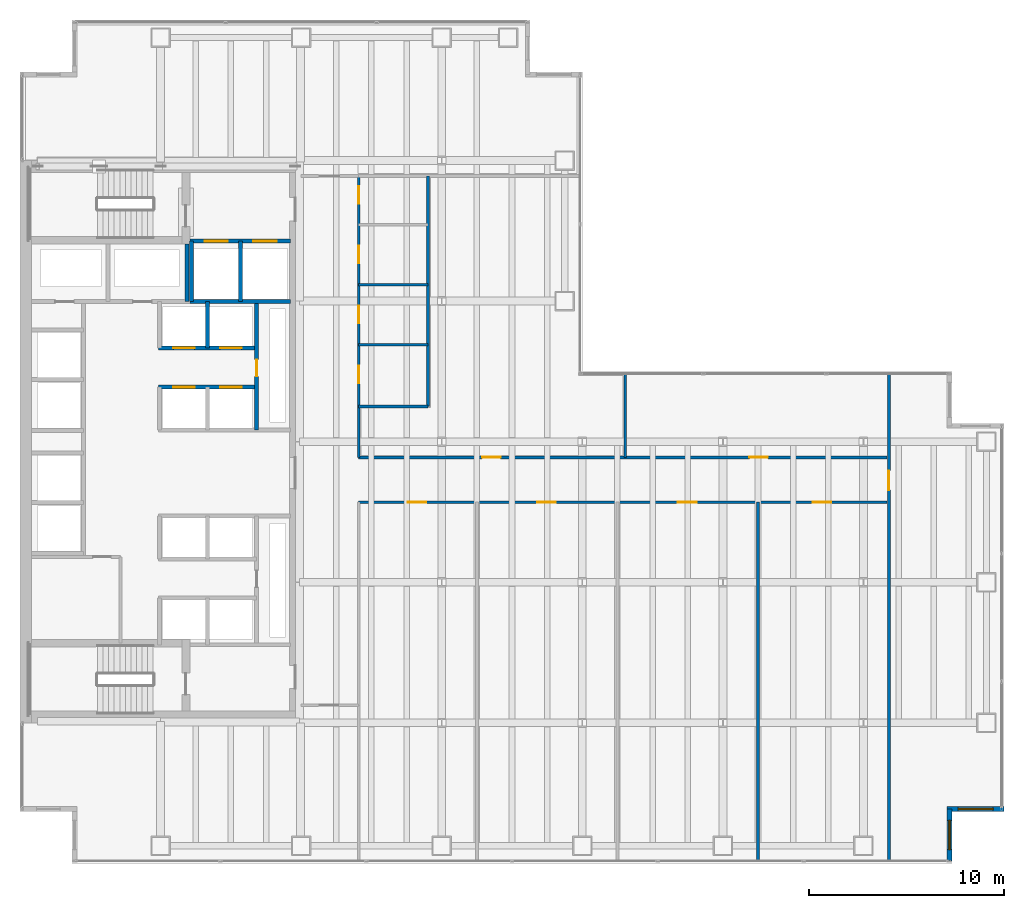
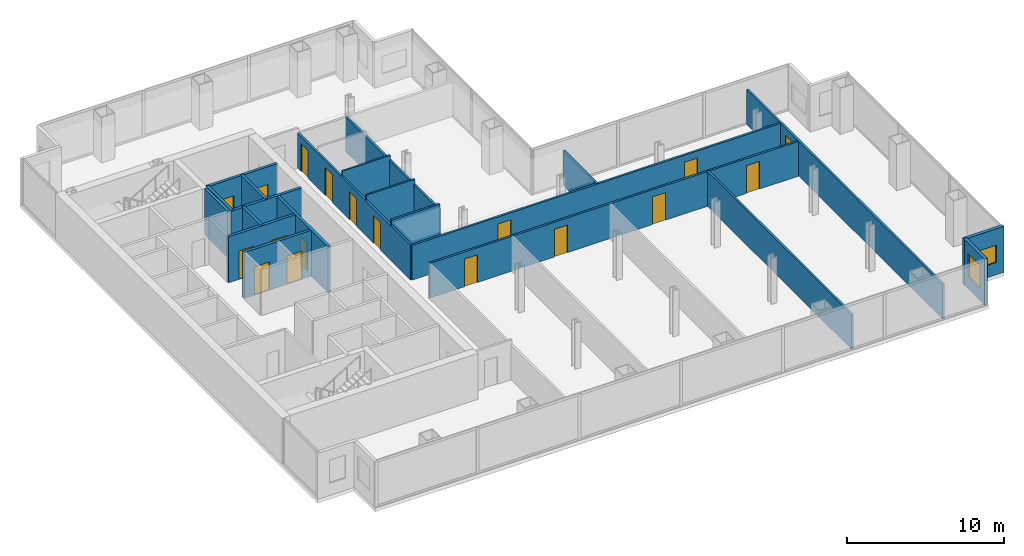
# One storey, part 21 of 23: 21 walls, 18 doors, 2 windows, 20 openings.
"""IFC4 building model written with IfcOpenShell, lengths in metres."""

from ifc_helpers import new_model, si_unit, direction, frame, frame_2d, origin, place, context, subcontext, project, spatial, rectangle, extrude, material, layer, layer_set, type_object, element, fill, save


model = new_model("IFC4")

# Units and contexts
model_context = context("Model", 3, precision=1e-05, world=origin(), true_north=direction((0.0, 1.0)))
body_context = subcontext(model_context, "Body", "Model", "MODEL_VIEW")
ifc_project = project(units=[si_unit("LENGTHUNIT", "METRE"), si_unit("AREAUNIT", "SQUARE_METRE"), si_unit("VOLUMEUNIT", "CUBIC_METRE"), si_unit("PLANEANGLEUNIT", "RADIAN"), si_unit("MASSUNIT", "GRAM", prefix="KILO")], contexts=[model_context])

# Site, building, storey
site_placement = place(None, origin())
site = spatial("IfcSite", under=ifc_project, at=site_placement, CompositionType="ELEMENT")
building_placement = place(site_placement, origin())
building = spatial("IfcBuilding", under=site, at=building_placement, Name="Cobrela Telecom Tower", CompositionType="ELEMENT")
storey_placement = place(building_placement, frame((0.0, 0.0, 50.39990234375)))
storey = spatial("IfcBuildingStorey", under=building, at=storey_placement, Name="L12", CompositionType="ELEMENT", Elevation=50.39990234375)

# Wall, opening, window
ifc_material_1 = material(Name="Concrete C40/50", Category="concrete")
ifc_layer_1 = layer(ifc_material_1, 0.239990234375)
ifc_layer_set_1 = layer_set([ifc_layer_1], Name="Concrete C40/50")
wall_type_1 = type_object("IfcWallType", Name="WALL-EXT-300", PredefinedType="STANDARD", material=ifc_layer_set_1)
wall_1_placement = place(storey_placement, frame((50.39990234375, 2.7900390625, 0.0), z_axis=(0.0, 0.0, 1.0), x_axis=(-1.0, 0.0, 0.0)))
wall_1 = element("IfcWall", 1, at=wall_1_placement, inside=storey, type_object=wall_type_1, Name="L12 Insulated Facade Wall 15", PredefinedType="STANDARD", context=body_context, shape_type="SweptSolid", body=[
    extrude(rectangle(XDim=2.909912109375, YDim=0.239990234375, at=frame_2d((1.455078125, 0.0))), origin(), (0.0, 0.0, 1.0), 3.570068359375),
])
opening_1_placement = place(wall_1_placement, frame((0.554931640625, 0.0, 0.949951171875)))
opening_1 = element("IfcOpeningElement", 2, at=opening_1_placement, cuts=wall_1, Name="Opening WN-27", PredefinedType="OPENING", context=body_context, shape_type="SweptSolid", body=[
    extrude(rectangle(XDim=1.800048828125, YDim=1.35009765625, at=frame_2d((0.89990234375, 0.675048828125))), frame((0.0, 0.1318359375, 0.0), z_axis=(0.0, -1.0, 0.0), x_axis=(1.0, 0.0, 0.0)), (0.0, 0.0, 1.0), 0.263916015625),
])
ifc_material_2 = material(Name="Solar-Control Bronze Low-E Glass", Category="glass")
window_type_1 = type_object("IfcWindowType", Name="WIN-CLER-1800", PartitioningType="SINGLE_PANEL", PredefinedType="WINDOW", material=ifc_material_2)
window_1_placement = place(opening_1_placement, origin())
window_1 = element("IfcWindow", 3, at=window_1_placement, inside=storey, type_object=window_type_1, Name="L12 Corner Notch Facade Window 058", OverallHeight=1.35009765625, OverallWidth=1.800048828125, PartitioningType="SINGLE_PANEL", PredefinedType="WINDOW", context=body_context, shape_type="SweptSolid", body=[
    extrude(rectangle(XDim=1.800048828125, YDim=1.35009765625, at=frame_2d((0.89990234375, 0.675048828125))), frame((0.0, 0.030029296875, 0.0), z_axis=(0.0, -1.0, 0.0), x_axis=(1.0, 0.0, 0.0)), (0.0, 0.0, 1.0), 0.06005859375),
])
fill(opening_1, window_1)

wall_2_placement = place(storey_placement, frame((47.610107421875, 2.7900390625, 0.0), z_axis=(0.0, 0.0, 1.0), x_axis=(0.0, -1.0, 0.0)))
wall_2 = element("IfcWall", 4, at=wall_2_placement, inside=storey, type_object=wall_type_1, Name="L12 Insulated Facade Wall 16", PredefinedType="STANDARD", context=body_context, shape_type="SweptSolid", body=[
    extrude(rectangle(XDim=2.669921875, YDim=0.239990234375, at=frame_2d((1.3349609375, 0.0))), origin(), (0.0, 0.0, 1.0), 3.570068359375),
])
opening_2_placement = place(wall_2_placement, frame((0.5849609375, 0.0, 0.949951171875)))
opening_2 = element("IfcOpeningElement", 5, at=opening_2_placement, cuts=wall_2, Name="Opening WN-45", PredefinedType="OPENING", context=body_context, shape_type="SweptSolid", body=[
    extrude(rectangle(XDim=1.5, YDim=1.800048828125, at=frame_2d((0.75, 0.89990234375))), frame((0.0, 0.1318359375, 0.0), z_axis=(0.0, -1.0, 0.0), x_axis=(1.0, 0.0, 0.0)), (0.0, 0.0, 1.0), 0.263916015625),
])
window_type_2 = type_object("IfcWindowType", Name="WIN-MOD-1500", PartitioningType="SINGLE_PANEL", PredefinedType="WINDOW", material=ifc_material_2)
window_2_placement = place(opening_2_placement, origin())
window_2 = element("IfcWindow", 6, at=window_2_placement, inside=storey, type_object=window_type_2, Name="L12 Corner Notch Facade Window 059", OverallHeight=1.800048828125, OverallWidth=1.5, PartitioningType="SINGLE_PANEL", PredefinedType="WINDOW", context=body_context, shape_type="SweptSolid", body=[
    extrude(rectangle(XDim=1.5, YDim=1.800048828125, at=frame_2d((0.75, 0.89990234375))), frame((0.0, 0.030029296875, 0.0), z_axis=(0.0, -1.0, 0.0), x_axis=(1.0, 0.0, 0.0)), (0.0, 0.0, 1.0), 0.06005859375),
])
fill(opening_2, window_2)

# Walls
ifc_material_3 = material(Name="Fire-Rated Gypsum Plasterboard")
ifc_layer_2 = layer(ifc_material_3, 0.125)
ifc_layer_set_2 = layer_set([ifc_layer_2], Name="Fire-Rated Gypsum Plasterboard")
wall_type_2 = type_object("IfcWallType", Name="WALL-PART-125", PredefinedType="PARTITIONING", material=ifc_layer_set_2)
for number, where, z_axis, x_axis, name in (
    (7, (17.35009765625, 26.570068359375, 0.0), (0.0, 0.0, 1.0), (1.0, 0.0, 0.0), "L12 Interior Partition W-WCD-1"),
    (8, (17.35009765625, 29.639892578125, 0.0), (0.0, 0.0, 1.0), (1.0, 0.0, 0.0), "L12 Interior Partition W-WCD-2"),
):
    element("IfcWall", number, at=place(storey_placement, frame(where, z_axis=z_axis, x_axis=x_axis)), inside=storey, type_object=wall_type_2, Name=name, PredefinedType="PARTITIONING", context=body_context, shape_type="SweptSolid", body=[
        extrude(rectangle(XDim=3.5498046875, YDim=0.125, at=frame_2d((1.77490234375, 0.0))), origin(), (0.0, 0.0, 1.0), 3.088134765625),
    ])

# Wall, openings, doors
ifc_layer_3 = layer(ifc_material_3, 0.14990234375)
ifc_layer_set_3 = layer_set([ifc_layer_3], Name="Fire-Rated Gypsum Plasterboard")
wall_type_3 = type_object("IfcWallType", Name="WALL-PART-150", PredefinedType="PARTITIONING", material=ifc_layer_set_3)
wall_3_placement = place(storey_placement, frame((17.35009765625, 20.800048828125, 0.0), z_axis=(0.0, 0.0, 1.0), x_axis=(0.0, 1.0, 0.0)))
wall_3 = element("IfcWall", 9, at=wall_3_placement, inside=storey, type_object=wall_type_3, Name="L12 Interior Partition W-C-E2", PredefinedType="PARTITIONING", context=body_context, shape_type="SweptSolid", body=[
    extrude(rectangle(XDim=14.39990234375, YDim=0.14990234375, at=frame_2d((7.199951171875, 0.0))), origin(), (0.0, 0.0, 1.0), 2.69921875),
])
opening_3_placement = place(wall_3_placement, frame((3.7900390625, 0.0, 0.0)))
opening_3 = element("IfcOpeningElement", 10, at=opening_3_placement, cuts=wall_3, Name="Opening DR-41", PredefinedType="OPENING", context=body_context, shape_type="SweptSolid", body=[
    extrude(rectangle(XDim=0.89990234375, YDim=2.14990234375, at=frame_2d((0.449951171875, 1.074951171875))), frame((0.0, 0.0869140625, 0.0), z_axis=(0.0, -1.0, 0.0), x_axis=(1.0, 0.0, 0.0)), (0.0, 0.0, 1.0), 0.173828125),
])
opening_4_placement = place(wall_3_placement, frame((6.860107421875, 0.0, 0.0)))
opening_4 = element("IfcOpeningElement", 11, at=opening_4_placement, cuts=wall_3, Name="Opening DR-41", PredefinedType="OPENING", context=body_context, shape_type="SweptSolid", body=[
    extrude(rectangle(XDim=0.89990234375, YDim=2.14990234375, at=frame_2d((0.449951171875, 1.074951171875))), frame((0.0, 0.0869140625, 0.0), z_axis=(0.0, -1.0, 0.0), x_axis=(1.0, 0.0, 0.0)), (0.0, 0.0, 1.0), 0.173828125),
])
opening_5_placement = place(wall_3_placement, frame((9.929931640625, 0.0, 0.0)))
opening_5 = element("IfcOpeningElement", 12, at=opening_5_placement, cuts=wall_3, Name="Opening DR-41", PredefinedType="OPENING", context=body_context, shape_type="SweptSolid", body=[
    extrude(rectangle(XDim=0.89990234375, YDim=2.14990234375, at=frame_2d((0.449951171875, 1.074951171875))), frame((0.0, 0.0869140625, 0.0), z_axis=(0.0, -1.0, 0.0), x_axis=(1.0, 0.0, 0.0)), (0.0, 0.0, 1.0), 0.173828125),
])
opening_6_placement = place(wall_3_placement, frame((12.989990234375, 0.0, 0.0)))
opening_6 = element("IfcOpeningElement", 13, at=opening_6_placement, cuts=wall_3, Name="Opening DR-41", PredefinedType="OPENING", context=body_context, shape_type="SweptSolid", body=[
    extrude(rectangle(XDim=0.89990234375, YDim=2.14990234375, at=frame_2d((0.449951171875, 1.074951171875))), frame((0.0, 0.0869140625, 0.0), z_axis=(0.0, -1.0, 0.0), x_axis=(1.0, 0.0, 0.0)), (0.0, 0.0, 1.0), 0.173828125),
])
ifc_material_4 = material(Name="Solid Engineered Oak Timber", Category="wood")
door_type_1 = type_object("IfcDoorType", Name="DOOR-INT-900", OperationType="SINGLE_SWING_LEFT", PredefinedType="DOOR", material=ifc_material_4)
door_1_placement = place(opening_3_placement, origin())
door_1 = element("IfcDoor", 14, at=door_1_placement, inside=storey, type_object=door_type_1, Name="L12 Door DR-41", OperationType="SINGLE_SWING_LEFT", OverallHeight=2.14990234375, OverallWidth=0.89990234375, PredefinedType="DOOR", context=body_context, shape_type="SweptSolid", body=[
    extrude(rectangle(XDim=0.89990234375, YDim=2.14990234375, at=frame_2d((0.449951171875, 1.074951171875))), frame((0.0, 0.02490234375, 0.0), z_axis=(0.0, -1.0, 0.0), x_axis=(1.0, 0.0, 0.0)), (0.0, 0.0, 1.0), 0.050048828125),
])
fill(opening_3, door_1)
door_2_placement = place(opening_4_placement, origin())
door_2 = element("IfcDoor", 15, at=door_2_placement, inside=storey, type_object=door_type_1, Name="L12 Door DR-41", OperationType="SINGLE_SWING_RIGHT", OverallHeight=2.14990234375, OverallWidth=0.89990234375, PredefinedType="DOOR", context=body_context, shape_type="SweptSolid", body=[
    extrude(rectangle(XDim=0.89990234375, YDim=2.14990234375, at=frame_2d((0.449951171875, 1.074951171875))), frame((0.0, 0.02490234375, 0.0), z_axis=(0.0, -1.0, 0.0), x_axis=(1.0, 0.0, 0.0)), (0.0, 0.0, 1.0), 0.050048828125),
])
fill(opening_4, door_2)
door_3_placement = place(opening_5_placement, origin())
door_3 = element("IfcDoor", 16, at=door_3_placement, inside=storey, type_object=door_type_1, Name="L12 Door DR-41", OperationType="SINGLE_SWING_LEFT", OverallHeight=2.14990234375, OverallWidth=0.89990234375, PredefinedType="DOOR", context=body_context, shape_type="SweptSolid", body=[
    extrude(rectangle(XDim=0.89990234375, YDim=2.14990234375, at=frame_2d((0.449951171875, 1.074951171875))), frame((0.0, 0.02490234375, 0.0), z_axis=(0.0, -1.0, 0.0), x_axis=(1.0, 0.0, 0.0)), (0.0, 0.0, 1.0), 0.050048828125),
])
fill(opening_5, door_3)
door_4_placement = place(opening_6_placement, origin())
door_4 = element("IfcDoor", 17, at=door_4_placement, inside=storey, type_object=door_type_1, Name="L12 Door DR-41", OperationType="SINGLE_SWING_RIGHT", OverallHeight=2.14990234375, OverallWidth=0.89990234375, PredefinedType="DOOR", context=body_context, shape_type="SweptSolid", body=[
    extrude(rectangle(XDim=0.89990234375, YDim=2.14990234375, at=frame_2d((0.449951171875, 1.074951171875))), frame((0.0, 0.02490234375, 0.0), z_axis=(0.0, -1.0, 0.0), x_axis=(1.0, 0.0, 0.0)), (0.0, 0.0, 1.0), 0.050048828125),
])
fill(opening_6, door_4)

wall_4_placement = place(storey_placement, frame((17.35009765625, 18.5, 0.0), z_axis=(0.0, 0.0, 1.0), x_axis=(1.0, 0.0, 0.0)))
wall_4 = element("IfcWall", 18, at=wall_4_placement, inside=storey, type_object=wall_type_3, Name="L12 Interior Partition W-C-HS", PredefinedType="PARTITIONING", context=body_context, shape_type="SweptSolid", body=[
    extrude(rectangle(XDim=27.0498046875, YDim=0.14990234375, at=frame_2d((13.52490234375, 0.0))), origin(), (0.0, 0.0, 1.0), 2.69921875),
])
opening_7_placement = place(wall_4_placement, frame((2.52001953125, 0.0, 0.0)))
opening_7 = element("IfcOpeningElement", 19, at=opening_7_placement, cuts=wall_4, Name="Opening DR-67", PredefinedType="OPENING", context=body_context, shape_type="SweptSolid", body=[
    extrude(rectangle(XDim=0.949951171875, YDim=2.14990234375, at=frame_2d((0.47509765625, 1.074951171875))), frame((0.0, 0.0869140625, 0.0), z_axis=(0.0, -1.0, 0.0), x_axis=(1.0, 0.0, 0.0)), (0.0, 0.0, 1.0), 0.173828125),
])
opening_8_placement = place(wall_4_placement, frame((9.14990234375, 0.0, 0.0)))
opening_8 = element("IfcOpeningElement", 20, at=opening_8_placement, cuts=wall_4, Name="Opening DR-67", PredefinedType="OPENING", context=body_context, shape_type="SweptSolid", body=[
    extrude(rectangle(XDim=0.949951171875, YDim=2.14990234375, at=frame_2d((0.47509765625, 1.074951171875))), frame((0.0, 0.0869140625, 0.0), z_axis=(0.0, -1.0, 0.0), x_axis=(1.0, 0.0, 0.0)), (0.0, 0.0, 1.0), 0.173828125),
])
opening_9_placement = place(wall_4_placement, frame((16.35009765625, 0.0, 0.0)))
opening_9 = element("IfcOpeningElement", 21, at=opening_9_placement, cuts=wall_4, Name="Opening DR-67", PredefinedType="OPENING", context=body_context, shape_type="SweptSolid", body=[
    extrude(rectangle(XDim=0.949951171875, YDim=2.14990234375, at=frame_2d((0.47509765625, 1.074951171875))), frame((0.0, 0.0869140625, 0.0), z_axis=(0.0, -1.0, 0.0), x_axis=(1.0, 0.0, 0.0)), (0.0, 0.0, 1.0), 0.173828125),
])
opening_10_placement = place(wall_4_placement, frame((23.25, 0.0, 0.0)))
opening_10 = element("IfcOpeningElement", 22, at=opening_10_placement, cuts=wall_4, Name="Opening DR-67", PredefinedType="OPENING", context=body_context, shape_type="SweptSolid", body=[
    extrude(rectangle(XDim=0.949951171875, YDim=2.14990234375, at=frame_2d((0.47509765625, 1.074951171875))), frame((0.0, 0.0869140625, 0.0), z_axis=(0.0, -1.0, 0.0), x_axis=(1.0, 0.0, 0.0)), (0.0, 0.0, 1.0), 0.173828125),
])
door_type_2 = type_object("IfcDoorType", Name="DOOR-INT-950", OperationType="SINGLE_SWING_LEFT", PredefinedType="DOOR", material=ifc_material_4)
door_5_placement = place(opening_7_placement, origin())
door_5 = element("IfcDoor", 23, at=door_5_placement, inside=storey, type_object=door_type_2, Name="L12 Door DR-67", OperationType="SINGLE_SWING_LEFT", OverallHeight=2.14990234375, OverallWidth=0.949951171875, PredefinedType="DOOR", context=body_context, shape_type="SweptSolid", body=[
    extrude(rectangle(XDim=0.949951171875, YDim=2.14990234375, at=frame_2d((0.47509765625, 1.074951171875))), frame((0.0, 0.02490234375, 0.0), z_axis=(0.0, -1.0, 0.0), x_axis=(1.0, 0.0, 0.0)), (0.0, 0.0, 1.0), 0.050048828125),
])
fill(opening_7, door_5)
door_6_placement = place(opening_8_placement, origin())
door_6 = element("IfcDoor", 24, at=door_6_placement, inside=storey, type_object=door_type_2, Name="L12 Door DR-67", OperationType="SINGLE_SWING_RIGHT", OverallHeight=2.14990234375, OverallWidth=0.949951171875, PredefinedType="DOOR", context=body_context, shape_type="SweptSolid", body=[
    extrude(rectangle(XDim=0.949951171875, YDim=2.14990234375, at=frame_2d((0.47509765625, 1.074951171875))), frame((0.0, 0.02490234375, 0.0), z_axis=(0.0, -1.0, 0.0), x_axis=(1.0, 0.0, 0.0)), (0.0, 0.0, 1.0), 0.050048828125),
])
fill(opening_8, door_6)
door_7_placement = place(opening_9_placement, origin())
door_7 = element("IfcDoor", 25, at=door_7_placement, inside=storey, type_object=door_type_2, Name="L12 Door DR-67", OperationType="SINGLE_SWING_LEFT", OverallHeight=2.14990234375, OverallWidth=0.949951171875, PredefinedType="DOOR", context=body_context, shape_type="SweptSolid", body=[
    extrude(rectangle(XDim=0.949951171875, YDim=2.14990234375, at=frame_2d((0.47509765625, 1.074951171875))), frame((0.0, 0.02490234375, 0.0), z_axis=(0.0, -1.0, 0.0), x_axis=(1.0, 0.0, 0.0)), (0.0, 0.0, 1.0), 0.050048828125),
])
fill(opening_9, door_7)
door_8_placement = place(opening_10_placement, origin())
door_8 = element("IfcDoor", 26, at=door_8_placement, inside=storey, type_object=door_type_2, Name="L12 Door DR-67", OperationType="SINGLE_SWING_RIGHT", OverallHeight=2.14990234375, OverallWidth=0.949951171875, PredefinedType="DOOR", context=body_context, shape_type="SweptSolid", body=[
    extrude(rectangle(XDim=0.949951171875, YDim=2.14990234375, at=frame_2d((0.47509765625, 1.074951171875))), frame((0.0, 0.02490234375, 0.0), z_axis=(0.0, -1.0, 0.0), x_axis=(1.0, 0.0, 0.0)), (0.0, 0.0, 1.0), 0.050048828125),
])
fill(opening_10, door_8)

wall_5_placement = place(storey_placement, frame((17.35009765625, 20.800048828125, 0.0), z_axis=(0.0, 0.0, 1.0), x_axis=(1.0, 0.0, 0.0)))
wall_5 = element("IfcWall", 27, at=wall_5_placement, inside=storey, type_object=wall_type_3, Name="L12 Interior Partition W-C-HN", PredefinedType="PARTITIONING", context=body_context, shape_type="SweptSolid", body=[
    extrude(rectangle(XDim=27.0498046875, YDim=0.14990234375, at=frame_2d((13.52490234375, 0.0))), origin(), (0.0, 0.0, 1.0), 2.69921875),
])
opening_11_placement = place(wall_5_placement, frame((6.320068359375, 0.0, 0.0)))
opening_11 = element("IfcOpeningElement", 28, at=opening_11_placement, cuts=wall_5, Name="Opening DR-67", PredefinedType="OPENING", context=body_context, shape_type="SweptSolid", body=[
    extrude(rectangle(XDim=0.949951171875, YDim=2.14990234375, at=frame_2d((0.47509765625, 1.074951171875))), frame((0.0, 0.0869140625, 0.0), z_axis=(0.0, -1.0, 0.0), x_axis=(1.0, 0.0, 0.0)), (0.0, 0.0, 1.0), 0.173828125),
])
opening_12_placement = place(wall_5_placement, frame((20.010009765625, 0.0, 0.0)))
opening_12 = element("IfcOpeningElement", 29, at=opening_12_placement, cuts=wall_5, Name="Opening DR-67", PredefinedType="OPENING", context=body_context, shape_type="SweptSolid", body=[
    extrude(rectangle(XDim=0.949951171875, YDim=2.14990234375, at=frame_2d((0.47509765625, 1.074951171875))), frame((0.0, 0.0869140625, 0.0), z_axis=(0.0, -1.0, 0.0), x_axis=(1.0, 0.0, 0.0)), (0.0, 0.0, 1.0), 0.173828125),
])
door_9_placement = place(opening_11_placement, origin())
door_9 = element("IfcDoor", 30, at=door_9_placement, inside=storey, type_object=door_type_2, Name="L12 Door DR-67", OperationType="SINGLE_SWING_LEFT", OverallHeight=2.14990234375, OverallWidth=0.949951171875, PredefinedType="DOOR", context=body_context, shape_type="SweptSolid", body=[
    extrude(rectangle(XDim=0.949951171875, YDim=2.14990234375, at=frame_2d((0.47509765625, 1.074951171875))), frame((0.0, 0.02490234375, 0.0), z_axis=(0.0, -1.0, 0.0), x_axis=(1.0, 0.0, 0.0)), (0.0, 0.0, 1.0), 0.050048828125),
])
fill(opening_11, door_9)
door_10_placement = place(opening_12_placement, origin())
door_10 = element("IfcDoor", 31, at=door_10_placement, inside=storey, type_object=door_type_2, Name="L12 Door DR-67", OperationType="SINGLE_SWING_RIGHT", OverallHeight=2.14990234375, OverallWidth=0.949951171875, PredefinedType="DOOR", context=body_context, shape_type="SweptSolid", body=[
    extrude(rectangle(XDim=0.949951171875, YDim=2.14990234375, at=frame_2d((0.47509765625, 1.074951171875))), frame((0.0, 0.02490234375, 0.0), z_axis=(0.0, -1.0, 0.0), x_axis=(1.0, 0.0, 0.0)), (0.0, 0.0, 1.0), 0.050048828125),
])
fill(opening_12, door_10)

# Wall, opening, door
wall_6_placement = place(storey_placement, frame((44.5, 0.1201171875, 0.0), z_axis=(0.0, 0.0, 1.0), x_axis=(0.0, 1.0, 0.0)))
wall_6 = element("IfcWall", 32, at=wall_6_placement, inside=storey, type_object=wall_type_3, Name="L12 Interior Partition W-C-END", PredefinedType="PARTITIONING", context=body_context, shape_type="SweptSolid", body=[
    extrude(rectangle(XDim=24.9599609375, YDim=0.14990234375, at=frame_2d((12.47998046875, 0.0))), origin(), (0.0, 0.0, 1.0), 2.69921875),
])
opening_13_placement = place(wall_6_placement, frame((19.0, 0.0, 0.0)))
opening_13 = element("IfcOpeningElement", 33, at=opening_13_placement, cuts=wall_6, Name="Opening DR-31", PredefinedType="OPENING", context=body_context, shape_type="SweptSolid", body=[
    extrude(rectangle(XDim=1.0, YDim=2.14990234375, at=frame_2d((0.5, 1.074951171875))), frame((0.0, 0.0869140625, 0.0), z_axis=(0.0, -1.0, 0.0), x_axis=(1.0, 0.0, 0.0)), (0.0, 0.0, 1.0), 0.173828125),
])
door_type_3 = type_object("IfcDoorType", Name="DOOR-INT-1000", OperationType="SINGLE_SWING_LEFT", PredefinedType="DOOR", material=ifc_material_4)
door_11_placement = place(opening_13_placement, origin())
door_11 = element("IfcDoor", 34, at=door_11_placement, inside=storey, type_object=door_type_3, Name="L12 Door DR-31", OperationType="SINGLE_SWING_LEFT", OverallHeight=2.14990234375, OverallWidth=1.0, PredefinedType="DOOR", context=body_context, shape_type="SweptSolid", body=[
    extrude(rectangle(XDim=1.0, YDim=2.14990234375, at=frame_2d((0.5, 1.074951171875))), frame((0.0, 0.02490234375, 0.0), z_axis=(0.0, -1.0, 0.0), x_axis=(1.0, 0.0, 0.0)), (0.0, 0.0, 1.0), 0.050048828125),
])
fill(opening_13, door_11)

# Walls
wall_7_placement = place(storey_placement, frame((17.35009765625, 23.39990234375, 0.0), z_axis=(0.0, 0.0, 1.0), x_axis=(1.0, 0.0, 0.0)))
element("IfcWall", 35, at=wall_7_placement, inside=storey, type_object=wall_type_3, Name="L12 Interior Partition W-WC-S", PredefinedType="PARTITIONING", context=body_context, shape_type="SweptSolid", body=[
    extrude(rectangle(XDim=3.5498046875, YDim=0.14990234375, at=frame_2d((1.77490234375, 0.0))), origin(), (0.0, 0.0, 1.0), 3.088134765625),
])
wall_8_placement = place(storey_placement, frame((20.89990234375, 23.39990234375, 0.0), z_axis=(0.0, 0.0, 1.0), x_axis=(0.0, 1.0, 0.0)))
element("IfcWall", 36, at=wall_8_placement, inside=storey, type_object=wall_type_3, Name="L12 Interior Partition W-WC-E", PredefinedType="PARTITIONING", context=body_context, shape_type="SweptSolid", body=[
    extrude(rectangle(XDim=11.800048828125, YDim=0.14990234375, at=frame_2d((5.89990234375, 0.0))), origin(), (0.0, 0.0, 1.0), 2.69921875),
])
wall_9_placement = place(storey_placement, frame((31.0, 20.800048828125, 0.0), z_axis=(0.0, 0.0, 1.0), x_axis=(0.0, 1.0, 0.0)))
element("IfcWall", 37, at=wall_9_placement, inside=storey, type_object=wall_type_3, Name="L12 Interior Partition W-NV-1", PredefinedType="PARTITIONING", context=body_context, shape_type="SweptSolid", body=[
    extrude(rectangle(XDim=4.25, YDim=0.14990234375, at=frame_2d((2.125, 0.0))), origin(), (0.0, 0.0, 1.0), 2.69921875),
])
wall_10_placement = place(storey_placement, frame((37.800048828125, 0.1201171875, 0.0), z_axis=(0.0, 0.0, 1.0), x_axis=(0.0, 1.0, 0.0)))
element("IfcWall", 38, at=wall_10_placement, inside=storey, type_object=wall_type_3, Name="L12 Interior Partition W-SV-3", PredefinedType="PARTITIONING", context=body_context, shape_type="SweptSolid", body=[
    extrude(rectangle(XDim=18.3798828125, YDim=0.14990234375, at=frame_2d((9.18994140625, 0.0))), origin(), (0.0, 0.0, 1.0), 2.69921875),
])

# Wall, openings, doors
ifc_layer_4 = layer(ifc_material_3, 0.199951171875)
ifc_layer_set_4 = layer_set([ifc_layer_4], Name="Fire-Rated Gypsum Plasterboard")
wall_type_4 = type_object("IfcWallType", Name="WALL-SHAFT-200", PredefinedType="PARTITIONING", material=ifc_layer_set_4)
wall_11_placement = place(storey_placement, frame((8.699951171875, 31.8798828125, 0.0), z_axis=(0.0, 0.0, 1.0), x_axis=(1.0, 0.0, 0.0)))
wall_11 = element("IfcWall", 39, at=wall_11_placement, inside=storey, type_object=wall_type_4, Name="L12 Shaft Enclosure CW-FFL-S", PredefinedType="PARTITIONING", context=body_context, shape_type="SweptSolid", body=[
    extrude(rectangle(XDim=5.150146484375, YDim=0.199951171875, at=frame_2d((2.5751953125, 0.0))), origin(), (0.0, 0.0, 1.0), 3.570068359375),
])
opening_14_placement = place(wall_11_placement, frame((0.75, 0.0, 0.0)))
opening_14 = element("IfcOpeningElement", 40, at=opening_14_placement, cuts=wall_11, Name="Opening LD-2", PredefinedType="OPENING", context=body_context, shape_type="SweptSolid", body=[
    extrude(rectangle(XDim=1.199951171875, YDim=2.199951171875, at=frame_2d((0.60009765625, 1.10009765625))), frame((0.0, 0.11181640625, 0.0), z_axis=(0.0, -1.0, 0.0), x_axis=(1.0, 0.0, 0.0)), (0.0, 0.0, 1.0), 0.223876953125),
])
opening_15_placement = place(wall_11_placement, frame((3.25, 0.0, 0.0)))
opening_15 = element("IfcOpeningElement", 41, at=opening_15_placement, cuts=wall_11, Name="Opening LD-2", PredefinedType="OPENING", context=body_context, shape_type="SweptSolid", body=[
    extrude(rectangle(XDim=1.199951171875, YDim=2.199951171875, at=frame_2d((0.60009765625, 1.10009765625))), frame((0.0, 0.11181640625, 0.0), z_axis=(0.0, -1.0, 0.0), x_axis=(1.0, 0.0, 0.0)), (0.0, 0.0, 1.0), 0.223876953125),
])
ifc_material_5 = material(Name="Steel ASTM A36", Category="steel")
door_type_4 = type_object("IfcDoorType", Name="DOOR-LD-FFL", OperationType="SINGLE_SWING_LEFT", PredefinedType="DOOR", material=ifc_material_5)
door_12_placement = place(opening_14_placement, origin())
door_12 = element("IfcDoor", 42, at=door_12_placement, inside=storey, type_object=door_type_4, Name="L12 Lift Landing Door LD-2", OperationType="DOUBLE_DOOR_SLIDING", OverallHeight=2.199951171875, OverallWidth=1.199951171875, PredefinedType="DOOR", context=body_context, shape_type="SweptSolid", body=[
    extrude(rectangle(XDim=1.199951171875, YDim=2.199951171875, at=frame_2d((0.60009765625, 1.10009765625))), frame((0.0, 0.02490234375, 0.0), z_axis=(0.0, -1.0, 0.0), x_axis=(1.0, 0.0, 0.0)), (0.0, 0.0, 1.0), 0.050048828125),
])
fill(opening_14, door_12)
door_13_placement = place(opening_15_placement, origin())
door_13 = element("IfcDoor", 43, at=door_13_placement, inside=storey, type_object=door_type_4, Name="L12 Lift Landing Door LD-2", OperationType="DOUBLE_DOOR_SLIDING", OverallHeight=2.199951171875, OverallWidth=1.199951171875, PredefinedType="DOOR", context=body_context, shape_type="SweptSolid", body=[
    extrude(rectangle(XDim=1.199951171875, YDim=2.199951171875, at=frame_2d((0.60009765625, 1.10009765625))), frame((0.0, 0.02490234375, 0.0), z_axis=(0.0, -1.0, 0.0), x_axis=(1.0, 0.0, 0.0)), (0.0, 0.0, 1.0), 0.050048828125),
])
fill(opening_15, door_13)

# Walls
wall_12_placement = place(storey_placement, frame((8.699951171875, 28.780029296875, 0.0), z_axis=(0.0, 0.0, 1.0), x_axis=(1.0, 0.0, 0.0)))
element("IfcWall", 44, at=wall_12_placement, inside=storey, type_object=wall_type_4, Name="L12 Shaft Enclosure CW-FFL-S2", PredefinedType="PARTITIONING", context=body_context, shape_type="SweptSolid", body=[
    extrude(rectangle(XDim=5.150146484375, YDim=0.199951171875, at=frame_2d((2.5751953125, 0.0))), origin(), (0.0, 0.0, 1.0), 3.570068359375),
])
for number, where, z_axis, x_axis, name in (
    (45, (8.780029296875, 28.780029296875, 0.0), (0.0, 0.0, 1.0), (0.0, 1.0, 0.0), "L12 Shaft Enclosure CW-FFL-W"),
    (46, (11.300048828125, 28.780029296875, 0.0), (0.0, 0.0, 1.0), (0.0, 1.0, 0.0), "L12 Shaft Enclosure CW-FFL-M"),
):
    element("IfcWall", number, at=place(storey_placement, frame(where, z_axis=z_axis, x_axis=x_axis)), inside=storey, type_object=wall_type_4, Name=name, PredefinedType="PARTITIONING", context=body_context, shape_type="SweptSolid", body=[
        extrude(rectangle(XDim=3.099853515625, YDim=0.199951171875, at=frame_2d((1.5498046875, 0.0))), origin(), (0.0, 0.0, 1.0), 3.570068359375),
    ])
wall_13_placement = place(storey_placement, frame((8.550048828125, 28.780029296875, 0.0), z_axis=(0.0, 0.0, 1.0), x_axis=(0.0, 1.0, 0.0)))
element("IfcWall", 47, at=wall_13_placement, inside=storey, type_object=wall_type_4, Name="L12 Shaft Enclosure CW-RIS-E", PredefinedType="PARTITIONING", context=body_context, shape_type="SweptSolid", body=[
    extrude(rectangle(XDim=2.93994140625, YDim=0.199951171875, at=frame_2d((1.469970703125, 0.0))), origin(), (0.0, 0.0, 1.0), 3.570068359375),
])

# Wall, openings, doors
wall_14_placement = place(storey_placement, frame((7.10009765625, 24.39990234375, 0.0), z_axis=(0.0, 0.0, 1.0), x_axis=(1.0, 0.0, 0.0)))
wall_14 = element("IfcWall", 48, at=wall_14_placement, inside=storey, type_object=wall_type_4, Name="L12 Shaft Enclosure CW-PLL-S", PredefinedType="PARTITIONING", context=body_context, shape_type="SweptSolid", body=[
    extrude(rectangle(XDim=5.02001953125, YDim=0.199951171875, at=frame_2d((2.510009765625, 0.0))), origin(), (0.0, 0.0, 1.0), 3.570068359375),
])
opening_16_placement = place(wall_14_placement, frame((0.75, 0.0, 0.0)))
opening_16 = element("IfcOpeningElement", 49, at=opening_16_placement, cuts=wall_14, Name="Opening LD-1", PredefinedType="OPENING", context=body_context, shape_type="SweptSolid", body=[
    extrude(rectangle(XDim=1.10009765625, YDim=2.199951171875, at=frame_2d((0.550048828125, 1.10009765625))), frame((0.0, 0.11181640625, 0.0), z_axis=(0.0, -1.0, 0.0), x_axis=(1.0, 0.0, 0.0)), (0.0, 0.0, 1.0), 0.223876953125),
])
opening_17_placement = place(wall_14_placement, frame((3.14990234375, 0.0, 0.0)))
opening_17 = element("IfcOpeningElement", 50, at=opening_17_placement, cuts=wall_14, Name="Opening LD-1", PredefinedType="OPENING", context=body_context, shape_type="SweptSolid", body=[
    extrude(rectangle(XDim=1.10009765625, YDim=2.199951171875, at=frame_2d((0.550048828125, 1.10009765625))), frame((0.0, 0.11181640625, 0.0), z_axis=(0.0, -1.0, 0.0), x_axis=(1.0, 0.0, 0.0)), (0.0, 0.0, 1.0), 0.223876953125),
])
door_type_5 = type_object("IfcDoorType", Name="DOOR-LD-PL", OperationType="SINGLE_SWING_LEFT", PredefinedType="DOOR", material=ifc_material_5)
door_14_placement = place(opening_16_placement, origin())
door_14 = element("IfcDoor", 51, at=door_14_placement, inside=storey, type_object=door_type_5, Name="L12 Lift Landing Door LD-1", OperationType="DOUBLE_DOOR_SLIDING", OverallHeight=2.199951171875, OverallWidth=1.10009765625, PredefinedType="DOOR", context=body_context, shape_type="SweptSolid", body=[
    extrude(rectangle(XDim=1.10009765625, YDim=2.199951171875, at=frame_2d((0.550048828125, 1.10009765625))), frame((0.0, 0.02490234375, 0.0), z_axis=(0.0, -1.0, 0.0), x_axis=(1.0, 0.0, 0.0)), (0.0, 0.0, 1.0), 0.050048828125),
])
fill(opening_16, door_14)
door_15_placement = place(opening_17_placement, origin())
door_15 = element("IfcDoor", 52, at=door_15_placement, inside=storey, type_object=door_type_5, Name="L12 Lift Landing Door LD-1", OperationType="DOUBLE_DOOR_SLIDING", OverallHeight=2.199951171875, OverallWidth=1.10009765625, PredefinedType="DOOR", context=body_context, shape_type="SweptSolid", body=[
    extrude(rectangle(XDim=1.10009765625, YDim=2.199951171875, at=frame_2d((0.550048828125, 1.10009765625))), frame((0.0, 0.02490234375, 0.0), z_axis=(0.0, -1.0, 0.0), x_axis=(1.0, 0.0, 0.0)), (0.0, 0.0, 1.0), 0.050048828125),
])
fill(opening_17, door_15)

wall_15_placement = place(storey_placement, frame((7.10009765625, 26.39990234375, 0.0), z_axis=(0.0, 0.0, 1.0), x_axis=(1.0, 0.0, 0.0)))
wall_15 = element("IfcWall", 53, at=wall_15_placement, inside=storey, type_object=wall_type_4, Name="L12 Shaft Enclosure CW-PLL-N", PredefinedType="PARTITIONING", context=body_context, shape_type="SweptSolid", body=[
    extrude(rectangle(XDim=5.02001953125, YDim=0.199951171875, at=frame_2d((2.510009765625, 0.0))), origin(), (0.0, 0.0, 1.0), 3.570068359375),
])
opening_18_placement = place(wall_15_placement, frame((0.75, 0.0, 0.0)))
opening_18 = element("IfcOpeningElement", 54, at=opening_18_placement, cuts=wall_15, Name="Opening LD-1", PredefinedType="OPENING", context=body_context, shape_type="SweptSolid", body=[
    extrude(rectangle(XDim=1.10009765625, YDim=2.199951171875, at=frame_2d((0.550048828125, 1.10009765625))), frame((0.0, 0.11181640625, 0.0), z_axis=(0.0, -1.0, 0.0), x_axis=(1.0, 0.0, 0.0)), (0.0, 0.0, 1.0), 0.223876953125),
])
opening_19_placement = place(wall_15_placement, frame((3.14990234375, 0.0, 0.0)))
opening_19 = element("IfcOpeningElement", 55, at=opening_19_placement, cuts=wall_15, Name="Opening LD-1", PredefinedType="OPENING", context=body_context, shape_type="SweptSolid", body=[
    extrude(rectangle(XDim=1.10009765625, YDim=2.199951171875, at=frame_2d((0.550048828125, 1.10009765625))), frame((0.0, 0.11181640625, 0.0), z_axis=(0.0, -1.0, 0.0), x_axis=(1.0, 0.0, 0.0)), (0.0, 0.0, 1.0), 0.223876953125),
])
door_16_placement = place(opening_18_placement, origin())
door_16 = element("IfcDoor", 56, at=door_16_placement, inside=storey, type_object=door_type_5, Name="L12 Lift Landing Door LD-1", OperationType="DOUBLE_DOOR_SLIDING", OverallHeight=2.199951171875, OverallWidth=1.10009765625, PredefinedType="DOOR", context=body_context, shape_type="SweptSolid", body=[
    extrude(rectangle(XDim=1.10009765625, YDim=2.199951171875, at=frame_2d((0.550048828125, 1.10009765625))), frame((0.0, 0.02490234375, 0.0), z_axis=(0.0, -1.0, 0.0), x_axis=(1.0, 0.0, 0.0)), (0.0, 0.0, 1.0), 0.050048828125),
])
fill(opening_18, door_16)
door_17_placement = place(opening_19_placement, origin())
door_17 = element("IfcDoor", 57, at=door_17_placement, inside=storey, type_object=door_type_5, Name="L12 Lift Landing Door LD-1", OperationType="DOUBLE_DOOR_SLIDING", OverallHeight=2.199951171875, OverallWidth=1.10009765625, PredefinedType="DOOR", context=body_context, shape_type="SweptSolid", body=[
    extrude(rectangle(XDim=1.10009765625, YDim=2.199951171875, at=frame_2d((0.550048828125, 1.10009765625))), frame((0.0, 0.02490234375, 0.0), z_axis=(0.0, -1.0, 0.0), x_axis=(1.0, 0.0, 0.0)), (0.0, 0.0, 1.0), 0.050048828125),
])
fill(opening_19, door_17)

# Wall
wall_16_placement = place(storey_placement, frame((9.60009765625, 26.39990234375, 0.0), z_axis=(0.0, 0.0, 1.0), x_axis=(0.0, 1.0, 0.0)))
element("IfcWall", 58, at=wall_16_placement, inside=storey, type_object=wall_type_4, Name="L12 Shaft Enclosure CW-PLL-V2B", PredefinedType="PARTITIONING", context=body_context, shape_type="SweptSolid", body=[
    extrude(rectangle(XDim=2.380126953125, YDim=0.199951171875, at=frame_2d((1.18994140625, 0.0))), origin(), (0.0, 0.0, 1.0), 3.570068359375),
])

# Wall, opening, door
wall_17_placement = place(storey_placement, frame((12.1201171875, 22.199951171875, 0.0), z_axis=(0.0, 0.0, 1.0), x_axis=(0.0, 1.0, 0.0)))
wall_17 = element("IfcWall", 59, at=wall_17_placement, inside=storey, type_object=wall_type_4, Name="L12 Shaft Enclosure CW-PLL-V3", PredefinedType="PARTITIONING", context=body_context, shape_type="SweptSolid", body=[
    extrude(rectangle(XDim=6.580078125, YDim=0.199951171875, at=frame_2d((3.2900390625, 0.0))), origin(), (0.0, 0.0, 1.0), 3.570068359375),
])
opening_20_placement = place(wall_17_placement, frame((2.75, 0.0, 0.0)))
opening_20 = element("IfcOpeningElement", 60, at=opening_20_placement, cuts=wall_17, Name="Opening DR-11", PredefinedType="OPENING", context=body_context, shape_type="SweptSolid", body=[
    extrude(rectangle(XDim=0.85009765625, YDim=2.14990234375, at=frame_2d((0.425048828125, 1.074951171875))), frame((0.0, 0.11181640625, 0.0), z_axis=(0.0, -1.0, 0.0), x_axis=(1.0, 0.0, 0.0)), (0.0, 0.0, 1.0), 0.223876953125),
])
door_type_6 = type_object("IfcDoorType", Name="DOOR-INT-850", OperationType="SINGLE_SWING_LEFT", PredefinedType="DOOR", material=ifc_material_4)
door_18_placement = place(opening_20_placement, origin())
door_18 = element("IfcDoor", 61, at=door_18_placement, inside=storey, type_object=door_type_6, Name="L12 Door DR-11", OperationType="SINGLE_SWING_LEFT", OverallHeight=2.14990234375, OverallWidth=0.85009765625, PredefinedType="DOOR", context=body_context, shape_type="SweptSolid", body=[
    extrude(rectangle(XDim=0.85009765625, YDim=2.14990234375, at=frame_2d((0.425048828125, 1.074951171875))), frame((0.0, 0.02490234375, 0.0), z_axis=(0.0, -1.0, 0.0), x_axis=(1.0, 0.0, 0.0)), (0.0, 0.0, 1.0), 0.050048828125),
])
fill(opening_20, door_18)

save(model, "model.ifc")
